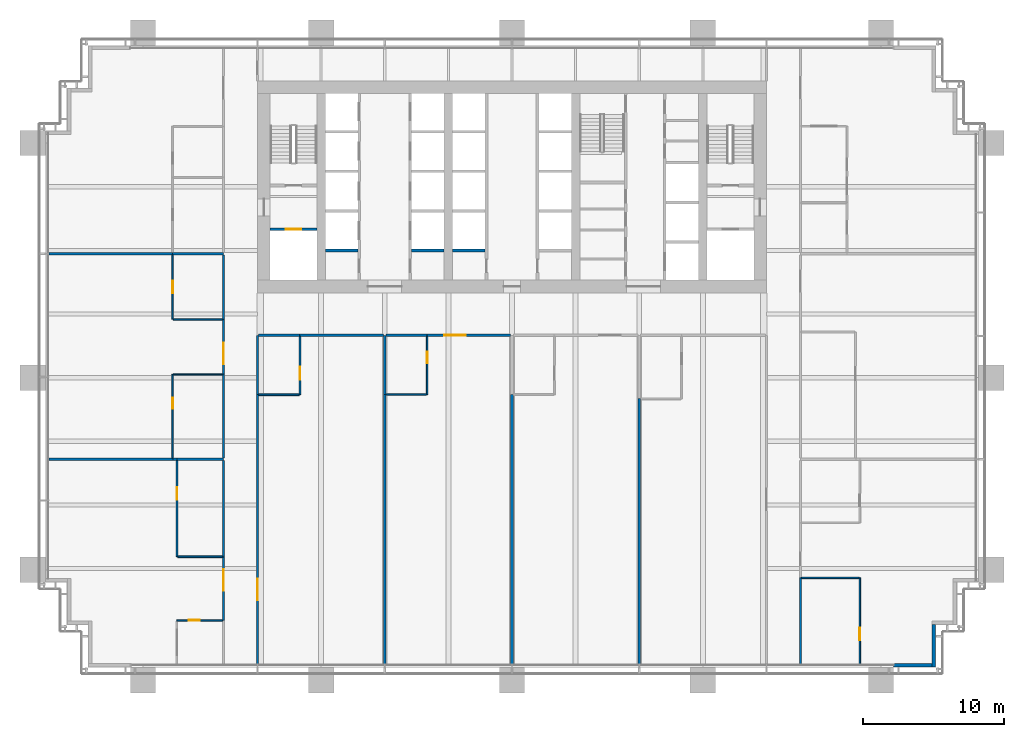
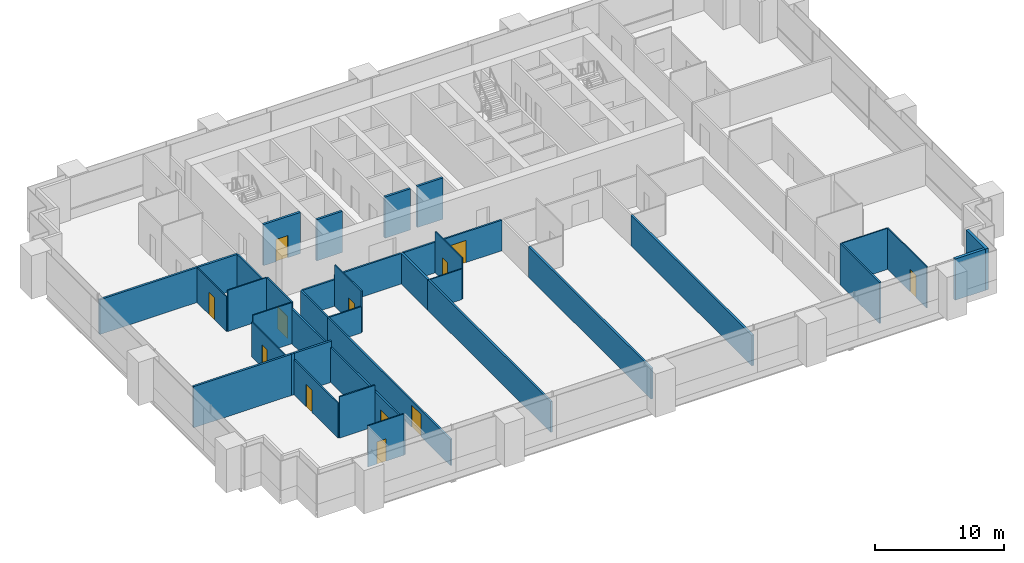
# One storey, part 11 of 19: 40 walls, 12 doors, 12 openings.
"""IFC4 building model written with IfcOpenShell, lengths in metres."""

from ifc_helpers import new_model, si_unit, direction, frame, frame_2d, origin, place, context, subcontext, project, spatial, rectangle, extrude, material, layer, layer_set, type_object, element, fill, save


model = new_model("IFC4")

# Units and contexts
model_context = context("Model", 3, precision=1e-05, world=origin(), true_north=direction((0.0, 1.0)))
body_context = subcontext(model_context, "Body", "Model", "MODEL_VIEW")
ifc_project = project(units=[si_unit("LENGTHUNIT", "METRE"), si_unit("AREAUNIT", "SQUARE_METRE"), si_unit("VOLUMEUNIT", "CUBIC_METRE"), si_unit("PLANEANGLEUNIT", "RADIAN"), si_unit("MASSUNIT", "GRAM", prefix="KILO")], contexts=[model_context])

# Site, building, storey
site_placement = place(None, origin())
site = spatial("IfcSite", under=ifc_project, at=site_placement, CompositionType="ELEMENT")
building_placement = place(site_placement, origin())
building = spatial("IfcBuilding", under=site, at=building_placement, Name="Rattan Terrace Tower", CompositionType="ELEMENT")
storey_placement = place(building_placement, frame((0.0, 0.0, 65.199951171875)))
storey = spatial("IfcBuildingStorey", under=building, at=storey_placement, Name="L14", CompositionType="ELEMENT", Elevation=65.199951171875)

# Wall, opening, door
ifc_material_1 = material(Name="Gypsum board partition")
ifc_layer_1 = layer(ifc_material_1, 0.199951171875)
ifc_layer_set_1 = layer_set([ifc_layer_1], Name="Core partition 200")
wall_type_1 = type_object("IfcWallType", Name="Core partition 200", PredefinedType="PARTITIONING", material=ifc_layer_set_1)
wall_1_placement = place(storey_placement, frame((-17.10009765625, -3.0, 0.0), z_axis=(0.0, 0.0, 1.0), x_axis=(1.0, 0.0, 0.0)))
wall_1 = element("IfcWall", 1, at=wall_1_placement, inside=storey, type_object=wall_type_1, Name="Fire-fighting lobby wall", PredefinedType="PARTITIONING", context=body_context, shape_type="SweptSolid", body=[
    extrude(rectangle(XDim=3.300048828125, YDim=0.199951171875, at=frame_2d((1.64990234375, 0.0))), origin(), (0.0, 0.0, 1.0), 3.900146484375),
])
opening_1_placement = place(wall_1_placement, frame((1.10009765625, 0.0, 0.0)))
opening_1 = element("IfcOpeningElement", 2, at=opening_1_placement, cuts=wall_1, Name="Opening L14-LD-FF1", PredefinedType="OPENING", context=body_context, shape_type="SweptSolid", body=[
    extrude(rectangle(XDim=1.10009765625, YDim=2.10009765625, at=frame_2d((0.550048828125, 1.050048828125))), frame((0.0, 0.110595703125, 0.0), z_axis=(0.0, -1.0, 0.0), x_axis=(1.0, 0.0, 0.0)), (0.0, 0.0, 1.0), 0.220947265625),
])
ifc_material_2 = material(Name="Brushed stainless landing door panel")
door_type_1 = type_object("IfcDoorType", Name="Core lift landing door 1100", OperationType="DOUBLE_DOOR_SLIDING", PredefinedType="DOOR", material=ifc_material_2)
door_1_placement = place(opening_1_placement, origin())
door_1 = element("IfcDoor", 3, at=door_1_placement, inside=storey, type_object=door_type_1, Name="Door L14-LD-FF1", OperationType="DOUBLE_DOOR_SLIDING", OverallHeight=2.10009765625, OverallWidth=1.10009765625, PredefinedType="DOOR", context=body_context, shape_type="SweptSolid", body=[
    extrude(rectangle(XDim=1.10009765625, YDim=2.10009765625, at=frame_2d((0.550048828125, 1.050048828125))), frame((0.0, 0.02490234375, 0.0), z_axis=(0.0, -1.0, 0.0), x_axis=(1.0, 0.0, 0.0)), (0.0, 0.0, 1.0), 0.050048828125),
])
fill(opening_1, door_1)

# Walls
ifc_material_3 = material(Name="Insulated aluminium-clad stud wall", Category="aluminium")
ifc_layer_2 = layer(ifc_material_3, 0.25)
ifc_layer_set_2 = layer_set([ifc_layer_2], Name="Facade Riser Wall 250")
wall_type_2 = type_object("IfcWallType", Name="Facade Riser Wall 250", PredefinedType="SOLIDWALL", material=ifc_layer_set_2)
wall_2_placement = place(storey_placement, frame((27.0, -33.830078125, 0.0), z_axis=(0.0, 0.0, 1.0), x_axis=(1.0, 0.0, 0.0)))
element("IfcWall", 4, at=wall_2_placement, inside=storey, type_object=wall_type_2, Name="Riser wall L14-1", PredefinedType="SOLIDWALL", context=body_context, shape_type="SweptSolid", body=[
    extrude(rectangle(XDim=2.705078125, YDim=0.25, at=frame_2d((1.3525390625, 0.0))), origin(), (0.0, 0.0, 1.0), 3.900146484375),
])
wall_3_placement = place(storey_placement, frame((29.830078125, -33.955078125, 0.0), z_axis=(0.0, 0.0, 1.0), x_axis=(0.0, 1.0, 0.0)))
element("IfcWall", 5, at=wall_3_placement, inside=storey, type_object=wall_type_2, Name="Riser wall L14-2", PredefinedType="SOLIDWALL", context=body_context, shape_type="SweptSolid", body=[
    extrude(rectangle(XDim=3.0, YDim=0.25, at=frame_2d((1.5, 0.0))), origin(), (0.0, 0.0, 1.0), 3.900146484375),
])
ifc_material_4 = material(Name="Double steel stud acoustic partition, gypsum board, mineral wool, fire rated", Category="steel")
ifc_layer_3 = layer(ifc_material_4, 0.179931640625)
ifc_layer_set_3 = layer_set([ifc_layer_3], Name="Floors Acoustic Party Wall 180")
wall_type_3 = type_object("IfcWallType", Name="Floors Acoustic Party Wall 180", PredefinedType="PARTITIONING", material=ifc_layer_set_3)
wall_4_placement = place(storey_placement, frame((-32.739990234375, -19.27294921875, 0.0), z_axis=(0.0, 0.0, 1.0), x_axis=(1.0, 0.0, 0.0)))
element("IfcWall", 6, at=wall_4_placement, inside=storey, type_object=wall_type_3, Name="pt-L14-035", PredefinedType="PARTITIONING", context=body_context, shape_type="SweptSolid", body=[
    extrude(rectangle(XDim=8.760009765625, YDim=0.179931640625, at=frame_2d((4.3798828125, 0.0))), origin(), (0.0, 0.0, 1.0), 3.900146484375),
])
wall_5_placement = place(storey_placement, frame((-23.97998046875, -19.27294921875, 0.0), z_axis=(0.0, 0.0, 1.0), x_axis=(1.0, 0.0, 0.0)))
element("IfcWall", 7, at=wall_5_placement, inside=storey, type_object=wall_type_3, Name="pt-L14-036", PredefinedType="PARTITIONING", context=body_context, shape_type="SweptSolid", body=[
    extrude(rectangle(XDim=0.280029296875, YDim=0.179931640625, at=frame_2d((0.14013671875, 0.0))), origin(), (0.0, 0.0, 1.0), 3.900146484375),
])
wall_6_placement = place(storey_placement, frame((-23.699951171875, -19.27294921875, 0.0), z_axis=(0.0, 0.0, 1.0), x_axis=(1.0, 0.0, 0.0)))
element("IfcWall", 8, at=wall_6_placement, inside=storey, type_object=wall_type_3, Name="pt-L14-037", PredefinedType="PARTITIONING", context=body_context, shape_type="SweptSolid", body=[
    extrude(rectangle(XDim=3.300048828125, YDim=0.179931640625, at=frame_2d((1.64990234375, 0.0))), origin(), (0.0, 0.0, 1.0), 3.900146484375),
])
wall_7_placement = place(storey_placement, frame((-32.739990234375, -4.72705078125, 0.0), z_axis=(0.0, 0.0, 1.0), x_axis=(1.0, 0.0, 0.0)))
element("IfcWall", 9, at=wall_7_placement, inside=storey, type_object=wall_type_3, Name="pt-L14-042", PredefinedType="PARTITIONING", context=body_context, shape_type="SweptSolid", body=[
    extrude(rectangle(XDim=8.739990234375, YDim=0.179931640625, at=frame_2d((4.3701171875, 0.0))), origin(), (0.0, 0.0, 1.0), 3.300048828125),
])
wall_8_placement = place(storey_placement, frame((-24.0, -4.72705078125, 0.0), z_axis=(0.0, 0.0, 1.0), x_axis=(1.0, 0.0, 0.0)))
element("IfcWall", 10, at=wall_8_placement, inside=storey, type_object=wall_type_3, Name="pt-L14-043", PredefinedType="PARTITIONING", context=body_context, shape_type="SweptSolid", body=[
    extrude(rectangle(XDim=3.60009765625, YDim=0.179931640625, at=frame_2d((1.800048828125, 0.0))), origin(), (0.0, 0.0, 1.0), 3.300048828125),
])
wall_9_placement = place(storey_placement, frame((-9.0, -14.679931640625, 0.0), z_axis=(0.0, 0.0, 1.0), x_axis=(0.0, -1.0, 0.0)))
element("IfcWall", 11, at=wall_9_placement, inside=storey, type_object=wall_type_3, Name="pt-L14-065", PredefinedType="PARTITIONING", context=body_context, shape_type="SweptSolid", body=[
    extrude(rectangle(XDim=19.06005859375, YDim=0.179931640625, at=frame_2d((9.530029296875, 0.0))), origin(), (0.0, 0.0, 1.0), 2.900146484375),
])
wall_10_placement = place(storey_placement, frame((-9.0, -10.5, 0.0), z_axis=(0.0, 0.0, 1.0), x_axis=(0.0, -1.0, 0.0)))
element("IfcWall", 12, at=wall_10_placement, inside=storey, type_object=wall_type_3, Name="pt-L14-066", PredefinedType="PARTITIONING", context=body_context, shape_type="SweptSolid", body=[
    extrude(rectangle(XDim=4.179931640625, YDim=0.179931640625, at=frame_2d((2.08984375, 0.0))), origin(), (0.0, 0.0, 1.0), 2.900146484375),
])
wall_11_placement = place(storey_placement, frame((0.0, -14.679931640625, 0.0), z_axis=(0.0, 0.0, 1.0), x_axis=(0.0, -1.0, 0.0)))
element("IfcWall", 13, at=wall_11_placement, inside=storey, type_object=wall_type_3, Name="pt-L14-069", PredefinedType="PARTITIONING", context=body_context, shape_type="SweptSolid", body=[
    extrude(rectangle(XDim=19.06005859375, YDim=0.179931640625, at=frame_2d((9.530029296875, 0.0))), origin(), (0.0, 0.0, 1.0), 2.900146484375),
])
wall_12_placement = place(storey_placement, frame((9.0, -14.97998046875, 0.0), z_axis=(0.0, 0.0, 1.0), x_axis=(0.0, -1.0, 0.0)))
element("IfcWall", 14, at=wall_12_placement, inside=storey, type_object=wall_type_3, Name="pt-L14-073", PredefinedType="PARTITIONING", context=body_context, shape_type="SweptSolid", body=[
    extrude(rectangle(XDim=18.760009765625, YDim=0.179931640625, at=frame_2d((9.3798828125, 0.0))), origin(), (0.0, 0.0, 1.0), 2.900146484375),
])

# Wall, opening, door
ifc_material_5 = material(Name="Gypsum board partition on steel studs", Category="steel")
ifc_layer_4 = layer(ifc_material_5, 0.10009765625)
ifc_layer_set_4 = layer_set([ifc_layer_4], Name="Floors Partition 100")
wall_type_4 = type_object("IfcWallType", Name="Floors Partition 100", PredefinedType="PARTITIONING", material=ifc_layer_set_4)
wall_13_placement = place(storey_placement, frame((-20.47509765625, -30.659912109375, 0.0), z_axis=(0.0, 0.0, 1.0), x_axis=(-1.0, 0.0, 0.0)))
wall_13 = element("IfcWall", 15, at=wall_13_placement, inside=storey, type_object=wall_type_4, Name="pt-L14-032", PredefinedType="PARTITIONING", context=body_context, shape_type="SweptSolid", body=[
    extrude(rectangle(XDim=3.224853515625, YDim=0.10009765625, at=frame_2d((1.6123046875, 0.0))), origin(), (0.0, 0.0, 1.0), 3.900146484375),
])
opening_2_placement = place(wall_13_placement, frame((1.596923828125, 0.0, 0.0)))
opening_2 = element("IfcOpeningElement", 16, at=opening_2_placement, cuts=wall_13, Name="Opening L14-D101", PredefinedType="OPENING", context=body_context, shape_type="SweptSolid", body=[
    extrude(rectangle(XDim=0.800048828125, YDim=2.10009765625, at=frame_2d((0.39990234375, 1.050048828125))), frame((0.0, 0.060546875, 0.0), z_axis=(0.0, -1.0, 0.0), x_axis=(1.0, 0.0, 0.0)), (0.0, 0.0, 1.0), 0.12109375),
])
ifc_material_6 = material(Name="Solid core timber door, painted", Category="wood")
door_type_2 = type_object("IfcDoorType", Name="Floors Store Door 800x2100", OperationType="NOTDEFINED", PredefinedType="DOOR", material=ifc_material_6)
door_2_placement = place(opening_2_placement, origin())
door_2 = element("IfcDoor", 17, at=door_2_placement, inside=storey, type_object=door_type_2, Name="d-L14-101", OperationType="SINGLE_SWING_RIGHT", OverallHeight=2.10009765625, OverallWidth=0.800048828125, PredefinedType="DOOR", context=body_context, shape_type="SweptSolid", body=[
    extrude(rectangle(XDim=0.800048828125, YDim=2.10009765625, at=frame_2d((0.39990234375, 1.050048828125))), frame((0.0, 0.02490234375, 0.0), z_axis=(0.0, -1.0, 0.0), x_axis=(1.0, 0.0, 0.0)), (0.0, 0.0, 1.0), 0.050048828125),
])
fill(opening_2, door_2)

wall_14_placement = place(storey_placement, frame((-24.0, -13.27294921875, 0.0), z_axis=(0.0, 0.0, 1.0), x_axis=(0.0, -1.0, 0.0)))
wall_14 = element("IfcWall", 18, at=wall_14_placement, inside=storey, type_object=wall_type_4, Name="pt-L14-038", PredefinedType="PARTITIONING", context=body_context, shape_type="SweptSolid", body=[
    extrude(rectangle(XDim=5.91015625, YDim=0.10009765625, at=frame_2d((2.955078125, 0.0))), origin(), (0.0, 0.0, 1.0), 3.300048828125),
])
opening_3_placement = place(wall_14_placement, frame((1.633056640625, 0.0, 0.0)))
opening_3 = element("IfcOpeningElement", 19, at=opening_3_placement, cuts=wall_14, Name="Opening L14-D104", PredefinedType="OPENING", context=body_context, shape_type="SweptSolid", body=[
    extrude(rectangle(XDim=0.800048828125, YDim=2.10009765625, at=frame_2d((0.39990234375, 1.050048828125))), frame((0.0, 0.060546875, 0.0), z_axis=(0.0, -1.0, 0.0), x_axis=(1.0, 0.0, 0.0)), (0.0, 0.0, 1.0), 0.12109375),
])
door_3_placement = place(opening_3_placement, origin())
door_3 = element("IfcDoor", 20, at=door_3_placement, inside=storey, type_object=door_type_2, Name="d-L14-104", OperationType="SINGLE_SWING_LEFT", OverallHeight=2.10009765625, OverallWidth=0.800048828125, PredefinedType="DOOR", context=body_context, shape_type="SweptSolid", body=[
    extrude(rectangle(XDim=0.800048828125, YDim=2.10009765625, at=frame_2d((0.39990234375, 1.050048828125))), frame((0.0, 0.02490234375, 0.0), z_axis=(0.0, -1.0, 0.0), x_axis=(1.0, 0.0, 0.0)), (0.0, 0.0, 1.0), 0.050048828125),
])
fill(opening_3, door_3)

# Wall
wall_15_placement = place(storey_placement, frame((-20.47509765625, -13.27294921875, 0.0), z_axis=(0.0, 0.0, 1.0), x_axis=(-1.0, 0.0, 0.0)))
element("IfcWall", 21, at=wall_15_placement, inside=storey, type_object=wall_type_4, Name="pt-L14-039", PredefinedType="PARTITIONING", context=body_context, shape_type="SweptSolid", body=[
    extrude(rectangle(XDim=3.474853515625, YDim=0.10009765625, at=frame_2d((1.7373046875, 0.0))), origin(), (0.0, 0.0, 1.0), 3.900146484375),
])

# Wall, opening, door
wall_16_placement = place(storey_placement, frame((-24.0, -4.81689453125, 0.0), z_axis=(0.0, 0.0, 1.0), x_axis=(0.0, -1.0, 0.0)))
wall_16 = element("IfcWall", 22, at=wall_16_placement, inside=storey, type_object=wall_type_4, Name="pt-L14-040", PredefinedType="PARTITIONING", context=body_context, shape_type="SweptSolid", body=[
    extrude(rectangle(XDim=4.55615234375, YDim=0.10009765625, at=frame_2d((2.278076171875, 0.0))), origin(), (0.0, 0.0, 1.0), 3.300048828125),
])
opening_4_placement = place(wall_16_placement, frame((1.827880859375, 0.0, 0.0)))
opening_4 = element("IfcOpeningElement", 23, at=opening_4_placement, cuts=wall_16, Name="Opening L14-D105", PredefinedType="OPENING", context=body_context, shape_type="SweptSolid", body=[
    extrude(rectangle(XDim=0.89990234375, YDim=2.10009765625, at=frame_2d((0.449951171875, 1.050048828125))), frame((0.0, 0.060546875, 0.0), z_axis=(0.0, -1.0, 0.0), x_axis=(1.0, 0.0, 0.0)), (0.0, 0.0, 1.0), 0.12109375),
])
ifc_material_7 = material(Name="Solid core timber door, painted", Category="wood")
door_type_3 = type_object("IfcDoorType", Name="Floors Door 900x2100", OperationType="NOTDEFINED", PredefinedType="DOOR", material=ifc_material_7)
door_4_placement = place(opening_4_placement, origin())
door_4 = element("IfcDoor", 24, at=door_4_placement, inside=storey, type_object=door_type_3, Name="d-L14-105", OperationType="SINGLE_SWING_RIGHT", OverallHeight=2.10009765625, OverallWidth=0.89990234375, PredefinedType="DOOR", context=body_context, shape_type="SweptSolid", body=[
    extrude(rectangle(XDim=0.89990234375, YDim=2.10009765625, at=frame_2d((0.449951171875, 1.050048828125))), frame((0.0, 0.02490234375, 0.0), z_axis=(0.0, -1.0, 0.0), x_axis=(1.0, 0.0, 0.0)), (0.0, 0.0, 1.0), 0.050048828125),
])
fill(opening_4, door_4)

# Walls
wall_17_placement = place(storey_placement, frame((-23.949951171875, -9.373046875, 0.0), z_axis=(0.0, 0.0, 1.0), x_axis=(1.0, 0.0, 0.0)))
element("IfcWall", 25, at=wall_17_placement, inside=storey, type_object=wall_type_4, Name="pt-L14-041", PredefinedType="PARTITIONING", context=body_context, shape_type="SweptSolid", body=[
    extrude(rectangle(XDim=3.474853515625, YDim=0.10009765625, at=frame_2d((1.7373046875, 0.0))), origin(), (0.0, 0.0, 1.0), 3.900146484375),
])
wall_18_placement = place(storey_placement, frame((24.550048828125, -27.659912109375, 0.0), z_axis=(0.0, 0.0, 1.0), x_axis=(-1.0, 0.0, 0.0)))
element("IfcWall", 26, at=wall_18_placement, inside=storey, type_object=wall_type_4, Name="pt-L14-048", PredefinedType="PARTITIONING", context=body_context, shape_type="SweptSolid", body=[
    extrude(rectangle(XDim=4.074951171875, YDim=0.10009765625, at=frame_2d((2.03759765625, 0.0))), origin(), (0.0, 0.0, 1.0), 3.900146484375),
])

# Wall, opening, door
wall_19_placement = place(storey_placement, frame((24.60009765625, -33.739990234375, 0.0), z_axis=(0.0, 0.0, 1.0), x_axis=(0.0, 1.0, 0.0)))
wall_19 = element("IfcWall", 27, at=wall_19_placement, inside=storey, type_object=wall_type_4, Name="pt-L14-049", PredefinedType="PARTITIONING", context=body_context, shape_type="SweptSolid", body=[
    extrude(rectangle(XDim=6.080078125, YDim=0.10009765625, at=frame_2d((3.0400390625, 0.0))), origin(), (0.0, 0.0, 1.0), 3.900146484375),
])
opening_5_placement = place(wall_19_placement, frame((1.654052734375, 0.0, 0.0)))
opening_5 = element("IfcOpeningElement", 28, at=opening_5_placement, cuts=wall_19, Name="Opening L14-D110", PredefinedType="OPENING", context=body_context, shape_type="SweptSolid", body=[
    extrude(rectangle(XDim=0.89990234375, YDim=2.10009765625, at=frame_2d((0.449951171875, 1.050048828125))), frame((0.0, 0.060546875, 0.0), z_axis=(0.0, -1.0, 0.0), x_axis=(1.0, 0.0, 0.0)), (0.0, 0.0, 1.0), 0.12109375),
])
door_5_placement = place(opening_5_placement, origin())
door_5 = element("IfcDoor", 29, at=door_5_placement, inside=storey, type_object=door_type_3, Name="d-L14-110", OperationType="SINGLE_SWING_LEFT", OverallHeight=2.10009765625, OverallWidth=0.89990234375, PredefinedType="DOOR", context=body_context, shape_type="SweptSolid", body=[
    extrude(rectangle(XDim=0.89990234375, YDim=2.10009765625, at=frame_2d((0.449951171875, 1.050048828125))), frame((0.0, 0.02490234375, 0.0), z_axis=(0.0, -1.0, 0.0), x_axis=(1.0, 0.0, 0.0)), (0.0, 0.0, 1.0), 0.050048828125),
])
fill(opening_5, door_5)

# Wall
wall_20_placement = place(storey_placement, frame((-8.909912109375, -14.699951171875, 0.0), z_axis=(0.0, 0.0, 1.0), x_axis=(1.0, 0.0, 0.0)))
element("IfcWall", 30, at=wall_20_placement, inside=storey, type_object=wall_type_4, Name="pt-L14-067", PredefinedType="PARTITIONING", context=body_context, shape_type="SweptSolid", body=[
    extrude(rectangle(XDim=2.85986328125, YDim=0.10009765625, at=frame_2d((1.429931640625, 0.0))), origin(), (0.0, 0.0, 1.0), 2.900146484375),
])

# Wall, opening, door
wall_21_placement = place(storey_placement, frame((-6.0, -14.699951171875, 0.0), z_axis=(0.0, 0.0, 1.0), x_axis=(0.0, 1.0, 0.0)))
wall_21 = element("IfcWall", 31, at=wall_21_placement, inside=storey, type_object=wall_type_4, Name="pt-L14-068", PredefinedType="PARTITIONING", context=body_context, shape_type="SweptSolid", body=[
    extrude(rectangle(XDim=4.125, YDim=0.10009765625, at=frame_2d((2.0625, 0.0))), origin(), (0.0, 0.0, 1.0), 3.900146484375),
])
opening_6_placement = place(wall_21_placement, frame((2.22802734375, 0.0, 0.0)))
opening_6 = element("IfcOpeningElement", 32, at=opening_6_placement, cuts=wall_21, Name="Opening L14-D121", PredefinedType="OPENING", context=body_context, shape_type="SweptSolid", body=[
    extrude(rectangle(XDim=0.800048828125, YDim=2.10009765625, at=frame_2d((0.39990234375, 1.050048828125))), frame((0.0, 0.060546875, 0.0), z_axis=(0.0, -1.0, 0.0), x_axis=(1.0, 0.0, 0.0)), (0.0, 0.0, 1.0), 0.12109375),
])
door_6_placement = place(opening_6_placement, origin())
door_6 = element("IfcDoor", 33, at=door_6_placement, inside=storey, type_object=door_type_2, Name="d-L14-121", OperationType="SINGLE_SWING_RIGHT", OverallHeight=2.10009765625, OverallWidth=0.800048828125, PredefinedType="DOOR", context=body_context, shape_type="SweptSolid", body=[
    extrude(rectangle(XDim=0.800048828125, YDim=2.10009765625, at=frame_2d((0.39990234375, 1.050048828125))), frame((0.0, 0.02490234375, 0.0), z_axis=(0.0, -1.0, 0.0), x_axis=(1.0, 0.0, 0.0)), (0.0, 0.0, 1.0), 0.050048828125),
])
fill(opening_6, door_6)

ifc_material_8 = material(Name="Gypsum board partition on steel studs, fire rated", Category="steel")
ifc_layer_5 = layer(ifc_material_8, 0.14990234375)
ifc_layer_set_5 = layer_set([ifc_layer_5], Name="Floors Tenancy Wall 150")
wall_type_5 = type_object("IfcWallType", Name="Floors Tenancy Wall 150", PredefinedType="PARTITIONING", material=ifc_layer_set_5)
wall_22_placement = place(storey_placement, frame((-20.39990234375, -30.679931640625, 0.0), z_axis=(0.0, 0.0, 1.0), x_axis=(0.0, 1.0, 0.0)))
wall_22 = element("IfcWall", 34, at=wall_22_placement, inside=storey, type_object=wall_type_5, Name="pt-L14-001", PredefinedType="PARTITIONING", context=body_context, shape_type="SweptSolid", body=[
    extrude(rectangle(XDim=4.5, YDim=0.14990234375, at=frame_2d((2.25, 0.0))), origin(), (0.0, 0.0, 1.0), 3.300048828125),
])
opening_7_placement = place(wall_22_placement, frame((2.125, 0.0, 0.0)))
opening_7 = element("IfcOpeningElement", 35, at=opening_7_placement, cuts=wall_22, Name="Opening L14-D100", PredefinedType="OPENING", context=body_context, shape_type="SweptSolid", body=[
    extrude(rectangle(XDim=1.5, YDim=2.10009765625, at=frame_2d((0.75, 1.050048828125))), frame((0.0, 0.08544921875, 0.0), z_axis=(0.0, -1.0, 0.0), x_axis=(1.0, 0.0, 0.0)), (0.0, 0.0, 1.0), 0.1708984375),
])
ifc_material_9 = material(Name="Steel fire door set", Category="steel")
door_type_4 = type_object("IfcDoorType", Name="Floors Unit Door Pair FD30S 1500x2100", OperationType="NOTDEFINED", PredefinedType="DOOR", material=ifc_material_9)
door_7_placement = place(opening_7_placement, origin())
door_7 = element("IfcDoor", 36, at=door_7_placement, inside=storey, type_object=door_type_4, Name="d-L14-100", OperationType="DOUBLE_DOOR_SINGLE_SWING", OverallHeight=2.10009765625, OverallWidth=1.5, PredefinedType="DOOR", context=body_context, shape_type="SweptSolid", body=[
    extrude(rectangle(XDim=1.5, YDim=2.10009765625, at=frame_2d((0.75, 1.050048828125))), frame((0.0, 0.02490234375, 0.0), z_axis=(0.0, -1.0, 0.0), x_axis=(1.0, 0.0, 0.0)), (0.0, 0.0, 1.0), 0.050048828125),
])
fill(opening_7, door_7)

# Wall
wall_23_placement = place(storey_placement, frame((-20.39990234375, -26.179931640625, 0.0), z_axis=(0.0, 0.0, 1.0), x_axis=(0.0, 1.0, 0.0)))
element("IfcWall", 37, at=wall_23_placement, inside=storey, type_object=wall_type_5, Name="pt-L14-003", PredefinedType="PARTITIONING", context=body_context, shape_type="SweptSolid", body=[
    extrude(rectangle(XDim=6.81689453125, YDim=0.14990234375, at=frame_2d((3.408447265625, 0.0))), origin(), (0.0, 0.0, 1.0), 3.300048828125),
])

# Wall, opening, door
wall_24_placement = place(storey_placement, frame((-20.39990234375, -13.2529296875, 0.0), z_axis=(0.0, 0.0, 1.0), x_axis=(0.0, 1.0, 0.0)))
wall_24 = element("IfcWall", 38, at=wall_24_placement, inside=storey, type_object=wall_type_5, Name="pt-L14-004", PredefinedType="PARTITIONING", context=body_context, shape_type="SweptSolid", body=[
    extrude(rectangle(XDim=3.85986328125, YDim=0.14990234375, at=frame_2d((1.929931640625, 0.0))), origin(), (0.0, 0.0, 1.0), 3.900146484375),
])
opening_8_placement = place(wall_24_placement, frame((0.715087890625, 0.0, 0.0)))
opening_8 = element("IfcOpeningElement", 39, at=opening_8_placement, cuts=wall_24, Name="Opening L14-D103", PredefinedType="OPENING", context=body_context, shape_type="SweptSolid", body=[
    extrude(rectangle(XDim=1.5, YDim=2.10009765625, at=frame_2d((0.75, 1.050048828125))), frame((0.0, 0.08544921875, 0.0), z_axis=(0.0, -1.0, 0.0), x_axis=(1.0, 0.0, 0.0)), (0.0, 0.0, 1.0), 0.1708984375),
])
door_8_placement = place(opening_8_placement, origin())
door_8 = element("IfcDoor", 40, at=door_8_placement, inside=storey, type_object=door_type_4, Name="d-L14-103", OperationType="DOUBLE_DOOR_SINGLE_SWING", OverallHeight=2.10009765625, OverallWidth=1.5, PredefinedType="DOOR", context=body_context, shape_type="SweptSolid", body=[
    extrude(rectangle(XDim=1.5, YDim=2.10009765625, at=frame_2d((0.75, 1.050048828125))), frame((0.0, 0.02490234375, 0.0), z_axis=(0.0, -1.0, 0.0), x_axis=(1.0, 0.0, 0.0)), (0.0, 0.0, 1.0), 0.050048828125),
])
fill(opening_8, door_8)

# Walls
wall_25_placement = place(storey_placement, frame((-20.39990234375, -19.18310546875, 0.0), z_axis=(0.0, 0.0, 1.0), x_axis=(0.0, 1.0, 0.0)))
element("IfcWall", 41, at=wall_25_placement, inside=storey, type_object=wall_type_5, Name="pt-L14-005", PredefinedType="PARTITIONING", context=body_context, shape_type="SweptSolid", body=[
    extrude(rectangle(XDim=5.93017578125, YDim=0.14990234375, at=frame_2d((2.965087890625, 0.0))), origin(), (0.0, 0.0, 1.0), 3.300048828125),
])
wall_26_placement = place(storey_placement, frame((-20.39990234375, -9.39306640625, 0.0), z_axis=(0.0, 0.0, 1.0), x_axis=(0.0, 1.0, 0.0)))
element("IfcWall", 42, at=wall_26_placement, inside=storey, type_object=wall_type_5, Name="pt-L14-006", PredefinedType="PARTITIONING", context=body_context, shape_type="SweptSolid", body=[
    extrude(rectangle(XDim=4.576171875, YDim=0.14990234375, at=frame_2d((2.2880859375, 0.0))), origin(), (0.0, 0.0, 1.0), 3.300048828125),
])
wall_27_placement = place(storey_placement, frame((20.39990234375, -27.639892578125, 0.0), z_axis=(0.0, 0.0, 1.0), x_axis=(0.0, -1.0, 0.0)))
element("IfcWall", 43, at=wall_27_placement, inside=storey, type_object=wall_type_5, Name="pt-L14-011", PredefinedType="PARTITIONING", context=body_context, shape_type="SweptSolid", body=[
    extrude(rectangle(XDim=6.10009765625, YDim=0.14990234375, at=frame_2d((3.050048828125, 0.0))), origin(), (0.0, 0.0, 1.0), 3.900146484375),
])

# Wall, opening, door
wall_28_placement = place(storey_placement, frame((-18.0, -14.679931640625, 0.0), z_axis=(0.0, 0.0, 1.0), x_axis=(0.0, -1.0, 0.0)))
wall_28 = element("IfcWall", 44, at=wall_28_placement, inside=storey, type_object=wall_type_5, Name="pt-L14-020", PredefinedType="PARTITIONING", context=body_context, shape_type="SweptSolid", body=[
    extrude(rectangle(XDim=19.06005859375, YDim=0.14990234375, at=frame_2d((9.530029296875, 0.0))), origin(), (0.0, 0.0, 1.0), 2.5),
])
opening_9_placement = place(wall_28_placement, frame((13.044921875, 0.0, 0.0)))
opening_9 = element("IfcOpeningElement", 45, at=opening_9_placement, cuts=wall_28, Name="Opening L14-D118", PredefinedType="OPENING", context=body_context, shape_type="SweptSolid", body=[
    extrude(rectangle(XDim=1.5, YDim=2.10009765625, at=frame_2d((0.75, 1.050048828125))), frame((0.0, 0.08544921875, 0.0), z_axis=(0.0, -1.0, 0.0), x_axis=(1.0, 0.0, 0.0)), (0.0, 0.0, 1.0), 0.1708984375),
])
door_9_placement = place(opening_9_placement, origin())
door_9 = element("IfcDoor", 46, at=door_9_placement, inside=storey, type_object=door_type_4, Name="d-L14-118", OperationType="DOUBLE_DOOR_SINGLE_SWING", OverallHeight=2.10009765625, OverallWidth=1.5, PredefinedType="DOOR", context=body_context, shape_type="SweptSolid", body=[
    extrude(rectangle(XDim=1.5, YDim=2.10009765625, at=frame_2d((0.75, 1.050048828125))), frame((0.0, 0.02490234375, 0.0), z_axis=(0.0, -1.0, 0.0), x_axis=(1.0, 0.0, 0.0)), (0.0, 0.0, 1.0), 0.050048828125),
])
fill(opening_9, door_9)

# Walls
wall_29_placement = place(storey_placement, frame((-9.090087890625, -10.5, 0.0), z_axis=(0.0, 0.0, 1.0), x_axis=(-1.0, 0.0, 0.0)))
element("IfcWall", 47, at=wall_29_placement, inside=storey, type_object=wall_type_5, Name="pt-L14-021", PredefinedType="PARTITIONING", context=body_context, shape_type="SweptSolid", body=[
    extrude(rectangle(XDim=5.929931640625, YDim=0.14990234375, at=frame_2d((2.96484375, 0.0))), origin(), (0.0, 0.0, 1.0), 2.900146484375),
])
wall_30_placement = place(storey_placement, frame((-18.0, -10.5, 0.0), z_axis=(0.0, 0.0, 1.0), x_axis=(0.0, -1.0, 0.0)))
element("IfcWall", 48, at=wall_30_placement, inside=storey, type_object=wall_type_5, Name="pt-L14-022", PredefinedType="PARTITIONING", context=body_context, shape_type="SweptSolid", body=[
    extrude(rectangle(XDim=4.179931640625, YDim=0.14990234375, at=frame_2d((2.08984375, 0.0))), origin(), (0.0, 0.0, 1.0), 2.5),
])
wall_31_placement = place(storey_placement, frame((-15.02001953125, -10.5, 0.0), z_axis=(0.0, 0.0, 1.0), x_axis=(-1.0, 0.0, 0.0)))
element("IfcWall", 49, at=wall_31_placement, inside=storey, type_object=wall_type_5, Name="pt-L14-023", PredefinedType="PARTITIONING", context=body_context, shape_type="SweptSolid", body=[
    extrude(rectangle(XDim=2.905029296875, YDim=0.14990234375, at=frame_2d((1.45263671875, 0.0))), origin(), (0.0, 0.0, 1.0), 2.5),
])

# Wall, opening, door
wall_32_placement = place(storey_placement, frame((-0.090087890625, -10.5, 0.0), z_axis=(0.0, 0.0, 1.0), x_axis=(-1.0, 0.0, 0.0)))
wall_32 = element("IfcWall", 50, at=wall_32_placement, inside=storey, type_object=wall_type_5, Name="pt-L14-024", PredefinedType="PARTITIONING", context=body_context, shape_type="SweptSolid", body=[
    extrude(rectangle(XDim=5.929931640625, YDim=0.14990234375, at=frame_2d((2.96484375, 0.0))), origin(), (0.0, 0.0, 1.0), 2.900146484375),
])
opening_10_placement = place(wall_32_placement, frame((3.197021484375, 0.0, 0.0)))
opening_10 = element("IfcOpeningElement", 51, at=opening_10_placement, cuts=wall_32, Name="Opening L14-D120", PredefinedType="OPENING", context=body_context, shape_type="SweptSolid", body=[
    extrude(rectangle(XDim=1.5, YDim=2.10009765625, at=frame_2d((0.75, 1.050048828125))), frame((0.0, 0.08544921875, 0.0), z_axis=(0.0, -1.0, 0.0), x_axis=(1.0, 0.0, 0.0)), (0.0, 0.0, 1.0), 0.1708984375),
])
door_10_placement = place(opening_10_placement, origin())
door_10 = element("IfcDoor", 52, at=door_10_placement, inside=storey, type_object=door_type_4, Name="d-L14-120", OperationType="DOUBLE_DOOR_SINGLE_SWING", OverallHeight=2.10009765625, OverallWidth=1.5, PredefinedType="DOOR", context=body_context, shape_type="SweptSolid", body=[
    extrude(rectangle(XDim=1.5, YDim=2.10009765625, at=frame_2d((0.75, 1.050048828125))), frame((0.0, 0.02490234375, 0.0), z_axis=(0.0, -1.0, 0.0), x_axis=(1.0, 0.0, 0.0)), (0.0, 0.0, 1.0), 0.050048828125),
])
fill(opening_10, door_10)

# Wall
wall_33_placement = place(storey_placement, frame((-6.02001953125, -10.5, 0.0), z_axis=(0.0, 0.0, 1.0), x_axis=(-1.0, 0.0, 0.0)))
element("IfcWall", 53, at=wall_33_placement, inside=storey, type_object=wall_type_5, Name="pt-L14-025", PredefinedType="PARTITIONING", context=body_context, shape_type="SweptSolid", body=[
    extrude(rectangle(XDim=2.889892578125, YDim=0.14990234375, at=frame_2d((1.44482421875, 0.0))), origin(), (0.0, 0.0, 1.0), 2.900146484375),
])

# Wall, opening, door
ifc_material_10 = material(Name="Moisture resistant gypsum board partition on steel studs with service cavity", Category="steel")
ifc_layer_6 = layer(ifc_material_10, 0.1201171875)
ifc_layer_set_6 = layer_set([ifc_layer_6], Name="Floors Wet Wall 120")
wall_type_6 = type_object("IfcWallType", Name="Floors Wet Wall 120", PredefinedType="PARTITIONING", material=ifc_layer_set_6)
wall_34_placement = place(storey_placement, frame((-23.699951171875, -19.363037109375, 0.0), z_axis=(0.0, 0.0, 1.0), x_axis=(0.0, -1.0, 0.0)))
wall_34 = element("IfcWall", 54, at=wall_34_placement, inside=storey, type_object=wall_type_6, Name="pt-L14-033", PredefinedType="PARTITIONING", context=body_context, shape_type="SweptSolid", body=[
    extrude(rectangle(XDim=6.796875, YDim=0.1201171875, at=frame_2d((3.3984375, 0.0))), origin(), (0.0, 0.0, 1.0), 3.300048828125),
])
opening_11_placement = place(wall_34_placement, frame((1.868896484375, 0.0, 0.0)))
opening_11 = element("IfcOpeningElement", 55, at=opening_11_placement, cuts=wall_34, Name="Opening L14-D102", PredefinedType="OPENING", context=body_context, shape_type="SweptSolid", body=[
    extrude(rectangle(XDim=0.89990234375, YDim=2.10009765625, at=frame_2d((0.449951171875, 1.050048828125))), frame((0.0, 0.070556640625, 0.0), z_axis=(0.0, -1.0, 0.0), x_axis=(1.0, 0.0, 0.0)), (0.0, 0.0, 1.0), 0.14111328125),
])
door_11_placement = place(opening_11_placement, origin())
door_11 = element("IfcDoor", 56, at=door_11_placement, inside=storey, type_object=door_type_3, Name="d-L14-102", OperationType="SINGLE_SWING_LEFT", OverallHeight=2.10009765625, OverallWidth=0.89990234375, PredefinedType="DOOR", context=body_context, shape_type="SweptSolid", body=[
    extrude(rectangle(XDim=0.89990234375, YDim=2.10009765625, at=frame_2d((0.449951171875, 1.050048828125))), frame((0.0, 0.02490234375, 0.0), z_axis=(0.0, -1.0, 0.0), x_axis=(1.0, 0.0, 0.0)), (0.0, 0.0, 1.0), 0.050048828125),
])
fill(opening_11, door_11)

# Walls
wall_35_placement = place(storey_placement, frame((-23.639892578125, -26.159912109375, 0.0), z_axis=(0.0, 0.0, 1.0), x_axis=(1.0, 0.0, 0.0)))
element("IfcWall", 57, at=wall_35_placement, inside=storey, type_object=wall_type_6, Name="pt-L14-034", PredefinedType="PARTITIONING", context=body_context, shape_type="SweptSolid", body=[
    extrude(rectangle(XDim=3.164794921875, YDim=0.1201171875, at=frame_2d((1.58251953125, 0.0))), origin(), (0.0, 0.0, 1.0), 3.900146484375),
])
wall_36_placement = place(storey_placement, frame((-17.925048828125, -14.699951171875, 0.0), z_axis=(0.0, 0.0, 1.0), x_axis=(1.0, 0.0, 0.0)))
element("IfcWall", 58, at=wall_36_placement, inside=storey, type_object=wall_type_6, Name="pt-L14-063", PredefinedType="PARTITIONING", context=body_context, shape_type="SweptSolid", body=[
    extrude(rectangle(XDim=2.864990234375, YDim=0.1201171875, at=frame_2d((1.4326171875, 0.0))), origin(), (0.0, 0.0, 1.0), 2.5),
])

# Wall, opening, door
wall_37_placement = place(storey_placement, frame((-15.0, -14.699951171875, 0.0), z_axis=(0.0, 0.0, 1.0), x_axis=(0.0, 1.0, 0.0)))
wall_37 = element("IfcWall", 59, at=wall_37_placement, inside=storey, type_object=wall_type_6, Name="pt-L14-064", PredefinedType="PARTITIONING", context=body_context, shape_type="SweptSolid", body=[
    extrude(rectangle(XDim=4.125, YDim=0.1201171875, at=frame_2d((2.0625, 0.0))), origin(), (0.0, 0.0, 1.0), 3.900146484375),
])
opening_12_placement = place(wall_37_placement, frame((1.06689453125, 0.0, 0.0)))
opening_12 = element("IfcOpeningElement", 60, at=opening_12_placement, cuts=wall_37, Name="Opening L14-D119", PredefinedType="OPENING", context=body_context, shape_type="SweptSolid", body=[
    extrude(rectangle(XDim=0.89990234375, YDim=2.10009765625, at=frame_2d((0.449951171875, 1.050048828125))), frame((0.0, 0.070556640625, 0.0), z_axis=(0.0, -1.0, 0.0), x_axis=(1.0, 0.0, 0.0)), (0.0, 0.0, 1.0), 0.14111328125),
])
door_12_placement = place(opening_12_placement, origin())
door_12 = element("IfcDoor", 61, at=door_12_placement, inside=storey, type_object=door_type_3, Name="d-L14-119", OperationType="SINGLE_SWING_LEFT", OverallHeight=2.10009765625, OverallWidth=0.89990234375, PredefinedType="DOOR", context=body_context, shape_type="SweptSolid", body=[
    extrude(rectangle(XDim=0.89990234375, YDim=2.10009765625, at=frame_2d((0.449951171875, 1.050048828125))), frame((0.0, 0.02490234375, 0.0), z_axis=(0.0, -1.0, 0.0), x_axis=(1.0, 0.0, 0.0)), (0.0, 0.0, 1.0), 0.050048828125),
])
fill(opening_12, door_12)

# Walls
ifc_material_11 = material(Name="Gypsum shaft wall system")
ifc_layer_7 = layer(ifc_material_11, 0.199951171875)
ifc_layer_set_7 = layer_set([ifc_layer_7], Name="Lift shaft wall 200")
wall_type_7 = type_object("IfcWallType", Name="Lift shaft wall 200", PredefinedType="PARTITIONING", material=ifc_layer_set_7)
for number, where, z_axis, x_axis, name in (
    (62, (-13.199951171875, -4.5, 0.0), (0.0, 0.0, 1.0), (1.0, 0.0, 0.0), "Lift shaft wall"),
    (63, (-7.10009765625, -4.5, 0.0), (0.0, 0.0, 1.0), (1.0, 0.0, 0.0), "Lift shaft wall"),
    (64, (-4.199951171875, -4.5, 0.0), (0.0, 0.0, 1.0), (1.0, 0.0, 0.0), "Lift shaft wall"),
):
    element("IfcWall", number, at=place(storey_placement, frame(where, z_axis=z_axis, x_axis=x_axis)), inside=storey, type_object=wall_type_7, Name=name, PredefinedType="PARTITIONING", context=body_context, shape_type="SweptSolid", body=[
        extrude(rectangle(XDim=2.300048828125, YDim=0.199951171875, at=frame_2d((1.14990234375, 0.0))), origin(), (0.0, 0.0, 1.0), 3.900146484375),
    ])

save(model, "model.ifc")
